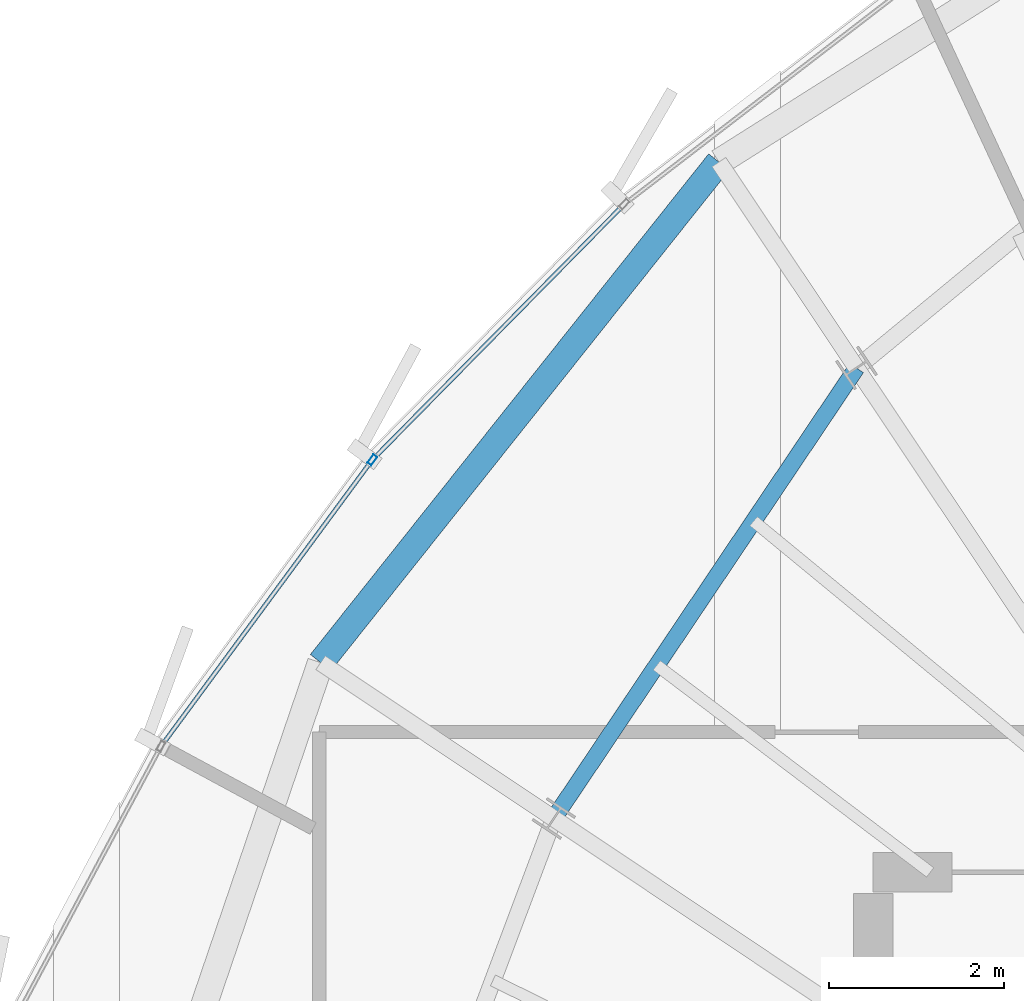
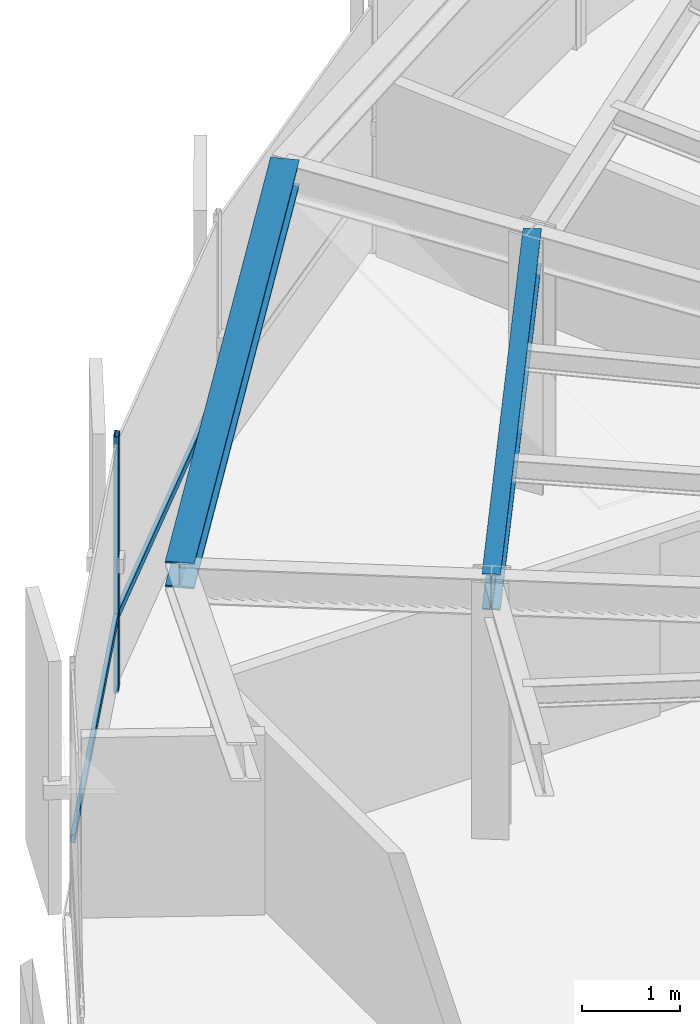
# One storey, part 18 of 33: 3 members, 2 beams, 1 element without a shape of its own.
"""IFC4 building model written with IfcOpenShell, lengths in metres."""

from ifc_helpers import new_model, si_unit, direction, frame, origin, origin_2d, place, context, subcontext, project, spatial, hollow_rectangle, i_section, extrude, source, transform, mapped, material, layer, layer_set, material_profile, profile_set, type_object, element, aggregate, save


model = new_model("IFC4")

# Units and contexts
model_context = context("Model", 3, precision=1e-05, world=origin(), true_north=direction((0.0, 1.0)))
body_context = subcontext(model_context, "Body", "Model", "MODEL_VIEW")
ifc_project = project(units=[si_unit("LENGTHUNIT", "METRE"), si_unit("AREAUNIT", "SQUARE_METRE"), si_unit("VOLUMEUNIT", "CUBIC_METRE"), si_unit("PLANEANGLEUNIT", "RADIAN"), si_unit("MASSUNIT", "GRAM", prefix="KILO"), si_unit("THERMODYNAMICTEMPERATUREUNIT", "KELVIN")], contexts=[model_context])

# Site, building, storey
site_placement = place(None, origin())
site = spatial("IfcSite", under=ifc_project, at=site_placement, CompositionType="ELEMENT")
building_placement = place(site_placement, origin())
building = spatial("IfcBuilding", under=site, at=building_placement, Name="Kethvar Cultural Tower", CompositionType="ELEMENT")
storey_placement = place(building_placement, frame((0.0, 0.0, 235.300048828125)))
storey = spatial("IfcBuildingStorey", under=building, at=storey_placement, Name="L61", CompositionType="ELEMENT", Elevation=235.300048828125)

# Beams
ifc_material_1 = material(Name="Steel S355J2", Category="steel")
ifc_material_profile_1 = material_profile(ifc_material_1, i_section(OverallWidth=0.18994140625, OverallDepth=0.449951171875, WebThickness=0.009521484375, FlangeThickness=0.0146484375, FilletRadius=0.02099609375, at=origin_2d()), Name="Steel S355J2 — IPE450")
ifc_profile_set_1 = profile_set([ifc_material_profile_1], Name="Steel S355J2 — IPE450")
beam_type_1 = type_object("IfcBeamType", Name="BM-IPE450", PredefinedType="BEAM", material=ifc_profile_set_1)
shared_shape_1 = source(origin(), body_context, "Body", "SweptSolid", [
    extrude(i_section(OverallWidth=0.18994140625, OverallDepth=0.449951171875, WebThickness=0.009521484375, FlangeThickness=0.0146484375, FilletRadius=0.02099609375, at=origin_2d()), origin(), (0.0, 0.0, 1.0), 6.192626953125),
])
beam_1_placement = place(storey_placement, frame((37.8095703125, 41.255126953125, 2.98291015625), z_axis=(-0.557698912025, -0.830043326295, 0.0), x_axis=(0.830043326295, -0.557698912025, 0.0)))
element("IfcBeam", 1, at=beam_1_placement, inside=storey, type_object=beam_type_1, Name="L61 Column Ring Tie Beam CR-06", PredefinedType="BEAM", context=body_context, shape_type="MappedRepresentation", body=[
    mapped(shared_shape_1, transform((0.0, 0.0, 0.0), scale=1.0)),
])
ifc_material_profile_2 = material_profile(ifc_material_1, i_section(OverallWidth=0.300048828125, OverallDepth=0.320068359375, WebThickness=0.011474609375, FlangeThickness=0.0205078125, FilletRadius=0.027099609375, at=origin_2d()), Name="Steel S355J2 — HEB320")
ifc_profile_set_2 = profile_set([ifc_material_profile_2], Name="Steel S355J2 — HEB320")
beam_type_2 = type_object("IfcBeamType", Name="BM-SP320", PredefinedType="SPANDREL", material=ifc_profile_set_2)
shared_shape_2 = source(origin(), body_context, "Body", "SweptSolid", [
    extrude(i_section(OverallWidth=0.300048828125, OverallDepth=0.320068359375, WebThickness=0.011474609375, FlangeThickness=0.0205078125, FilletRadius=0.027099609375, at=origin_2d()), origin(), (0.0, 0.0, 1.0), 7.299072265625),
])
beam_2_placement = place(storey_placement, frame((36.23974609375, 43.6044921875, 3.0478515625), z_axis=(-0.622596193724, -0.782543276478, 0.0), x_axis=(0.782543276478, -0.622596193724, 0.0)))
element("IfcBeam", 2, at=beam_2_placement, inside=storey, type_object=beam_type_2, Name="L61 Perimeter Spandrel Beam SP-06", PredefinedType="SPANDREL", context=body_context, shape_type="MappedRepresentation", body=[
    mapped(shared_shape_2, transform((0.0, 0.0, 0.0), scale=1.0)),
])

# Curtain wall, members
ifc_material_2 = material(Name="Aluminium 6063-T6", Category="aluminium")
ifc_layer = layer(ifc_material_2, 0.179931640625, Name="Aluminium 6063-T6", Category="aluminium")
ifc_layer_set = layer_set([ifc_layer], Name="Aluminium 6063-T6 (180 mm)")
curtain_wall_type = type_object("IfcCurtainWallType", Name="CW-SYS-05-Z56", PredefinedType="NOTDEFINED", material=ifc_layer_set)
curtain_wall_placement = place(storey_placement, origin())
curtain_wall = element("IfcCurtainWall", 3, at=curtain_wall_placement, inside=storey, type_object=curtain_wall_type, Name="L61 Curtain Wall Run 02", PredefinedType="NOTDEFINED")
ifc_material_profile_3 = material_profile(ifc_material_2, hollow_rectangle(XDim=0.054931640625, YDim=0.1201171875, WallThickness=0.00390625, at=origin_2d()), Name="Aluminium 6063-T6 — RHS120x55x4")
ifc_profile_set_3 = profile_set([ifc_material_profile_3], Name="Aluminium 6063-T6 — RHS120x55x4")
member_type_1 = type_object("IfcMemberType", Name="CW-SYS-05-Z56-MUL", PredefinedType="MULLION", material=ifc_profile_set_3)
shared_shape_3 = source(origin(), body_context, "Body", "SweptSolid", [
    extrude(hollow_rectangle(XDim=0.054931640625, YDim=0.1201171875, WallThickness=0.00390625, at=origin_2d()), origin(), (0.0, 0.0, 1.0), 3.2099609375),
])
member_1_placement = place(storey_placement, frame((32.28466796875, 40.206787109375, 0.0), z_axis=(0.0, 0.0, 1.0), x_axis=(0.804924867593, -0.59337674165, 0.0)))
member_1 = element("IfcMember", 4, at=member_1_placement, type_object=member_type_1, Name="CW-L61-R02 Mullion 4", PredefinedType="MULLION", context=body_context, shape_type="MappedRepresentation", body=[
    mapped(shared_shape_3, transform((0.0, 0.0, 0.0), scale=1.0)),
])
ifc_material_profile_4 = material_profile(ifc_material_2, hollow_rectangle(XDim=0.050048828125, YDim=0.10009765625, WallThickness=0.00390625, at=origin_2d()), Name="Aluminium 6063-T6 — RHS100x50x4")
ifc_profile_set_4 = profile_set([ifc_material_profile_4], Name="Aluminium 6063-T6 — RHS100x50x4")
member_type_2 = type_object("IfcMemberType", Name="CW-SYS-05-Z56-TRN", PredefinedType="USERDEFINED", material=ifc_profile_set_4)
shared_shape_4 = source(origin(), body_context, "Body", "SweptSolid", [
    extrude(hollow_rectangle(XDim=0.050048828125, YDim=0.10009765625, WallThickness=0.00390625, at=origin_2d()), origin(), (0.0, 0.0, 1.0), 4.0322265625),
])
member_2_placement = place(storey_placement, frame((35.1328125, 43.0966796875, 0.949951171875), z_axis=(-0.701758427786, -0.712414983722, 0.0), x_axis=(0.712414983722, -0.701758427786, 0.0)))
member_2 = element("IfcMember", 5, at=member_2_placement, type_object=member_type_2, Name="CW-L61-R02 Transom 3", ObjectType="TRANSOM", PredefinedType="USERDEFINED", context=body_context, shape_type="MappedRepresentation", body=[
    mapped(shared_shape_4, transform((0.0, 0.0, 0.0), scale=1.0)),
])
shared_shape_5 = source(origin(), body_context, "Body", "SweptSolid", [
    extrude(hollow_rectangle(XDim=0.050048828125, YDim=0.10009765625, WallThickness=0.00390625, at=origin_2d()), origin(), (0.0, 0.0, 1.0), 3.997314453125),
])
member_3_placement = place(storey_placement, frame((32.26123046875, 40.1748046875, 0.949951171875), z_axis=(-0.593363615713, -0.804934543642, 0.0), x_axis=(0.804934543642, -0.593363615713, 0.0)))
member_3 = element("IfcMember", 6, at=member_3_placement, type_object=member_type_2, Name="CW-L61-R02 Transom 4", ObjectType="TRANSOM", PredefinedType="USERDEFINED", context=body_context, shape_type="MappedRepresentation", body=[
    mapped(shared_shape_5, transform((0.0, 0.0, 0.0), scale=1.0)),
])
aggregate(curtain_wall, [member_1, member_2, member_3])

save(model, "model.ifc")
